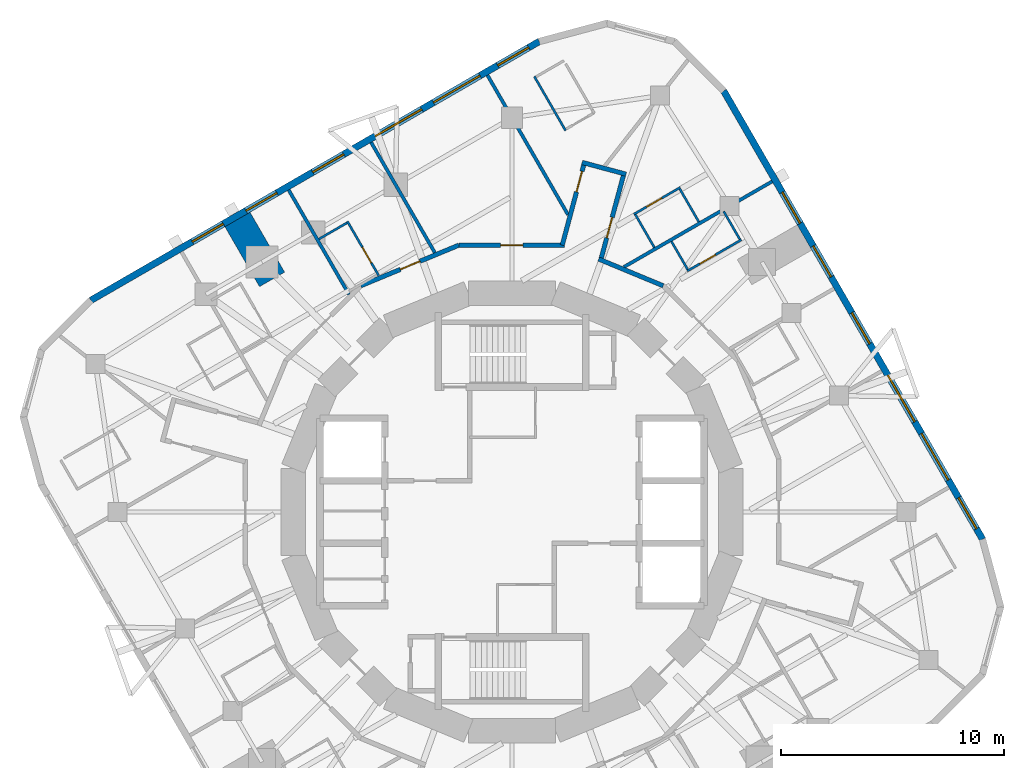
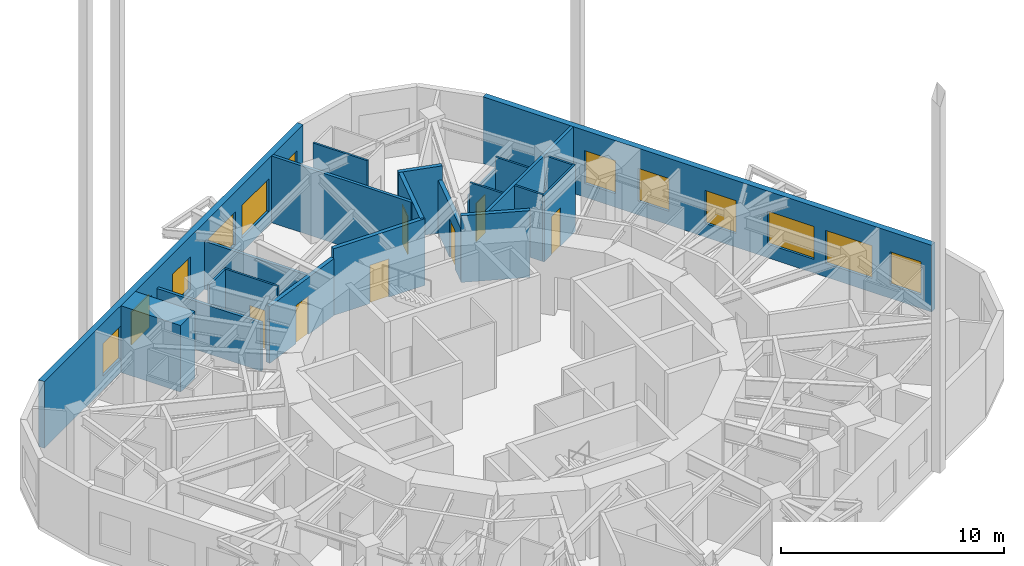
# One storey, part 8 of 10: 22 walls, 12 windows, 7 doors, 19 openings.
"""IFC4 building model written with IfcOpenShell, lengths in metres."""

import ifcopenshell
import ifcopenshell.guid

model = None  # the IFC model being written
_history = None  # IfcOwnerHistory: only IFC2X3 demands one
_inside = {}  # id of a spatial element -> (the spatial element, [elements in it])
_under = {}  # id of a project, library or spatial element -> (it, [spatial elements below it])
_declared = {}  # id of a project -> (the project, [libraries it declares])
_typed = {}  # id of a type object -> (the type object, [elements of that type])
_made_of = {}  # id of a material, layer set ... -> (it, [elements and type objects made of it])


def new_model(schema):
    """Start an empty IFC model of exactly this schema.

    Asked for "IFC4X3", IfcOpenShell would pick the latest addendum, in which some entities
    have other attributes; the version numbers below select the first issue.
    IFC2X3 requires an IfcOwnerHistory on every rooted entity: one is made here for all.
    """
    global model, _history
    if schema == "IFC4X3":
        model = ifcopenshell.file(schema_version=(4, 3, 0, 0))
    else:
        model = ifcopenshell.file(schema=schema)
    _inside.clear()
    _under.clear()
    _declared.clear()
    _typed.clear()
    _made_of.clear()
    _history = None
    if model.schema == "IFC2X3":
        org = make("IfcOrganization", Name="unknown")
        user = make(
            "IfcPersonAndOrganization",
            ThePerson=make("IfcPerson", FamilyName="unknown"),
            TheOrganization=org,
        )
        app = make(
            "IfcApplication",
            ApplicationDeveloper=org,
            Version="unknown",
            ApplicationFullName="unknown",
            ApplicationIdentifier="unknown",
        )
        _history = make(
            "IfcOwnerHistory",
            OwningUser=user,
            OwningApplication=app,
            ChangeAction="ADDED",
            CreationDate=0,
        )
    return model


def make(cls, **values):
    """One entity of the class cls with the attributes given. An attribute that is None is left unset."""
    return model.create_entity(
        cls, **{name: value for name, value in values.items() if value is not None}
    )


def rooted(cls, **values):
    """An entity with a GlobalId (a new one), such as an element, a storey or a relation."""
    return make(cls, GlobalId=ifcopenshell.guid.new(), OwnerHistory=_history, **values)


def si_unit(unit_type, name, prefix=None):
    """IfcSIUnit, for example si_unit("LENGTHUNIT", "METRE", prefix="MILLI")."""
    return make("IfcSIUnit", UnitType=unit_type, Prefix=prefix, Name=name)


def assignment(units):
    """IfcUnitAssignment: the units of a project."""
    return None if units is None else make("IfcUnitAssignment", Units=units)


def point(xyz):
    """IfcCartesianPoint."""
    return None if xyz is None else make("IfcCartesianPoint", Coordinates=xyz)


def direction(xyz):
    """IfcDirection."""
    return None if xyz is None else make("IfcDirection", DirectionRatios=xyz)


def frame(location, z_axis=None, x_axis=None):
    """IfcAxis2Placement3D, a coordinate frame: its origin and axes. An axis left out is left unset."""
    return make(
        "IfcAxis2Placement3D",
        Location=point(location),
        Axis=direction(z_axis),
        RefDirection=direction(x_axis),
    )


def frame_2d(location, x_axis=None):
    """IfcAxis2Placement2D, a coordinate frame in the plane: its origin and x axis."""
    return make(
        "IfcAxis2Placement2D", Location=point(location), RefDirection=direction(x_axis)
    )


def origin():
    """The frame at (0, 0, 0) with its axes left unset."""
    return frame((0.0, 0.0, 0.0))


def place(relative_to, where):
    """IfcLocalPlacement: puts the frame where relative to a parent placement (None: the world)."""
    return make(
        "IfcLocalPlacement", PlacementRelTo=relative_to, RelativePlacement=where
    )


def context(
    kind, dimensions, precision=None, world=None, true_north=None, identifier=None
):
    """IfcGeometricRepresentationContext, for example the 3D "Model" context."""
    return make(
        "IfcGeometricRepresentationContext",
        ContextIdentifier=identifier,
        ContextType=kind,
        CoordinateSpaceDimension=dimensions,
        Precision=precision,
        WorldCoordinateSystem=world,
        TrueNorth=true_north,
    )


def subcontext(parent, identifier, kind, view, scale=None):
    """IfcGeometricRepresentationSubContext, for example "Body" below "Model"."""
    return make(
        "IfcGeometricRepresentationSubContext",
        ContextIdentifier=identifier,
        ContextType=kind,
        ParentContext=parent,
        TargetScale=scale,
        TargetView=view,
    )


def project(units=None, contexts=None):
    """IfcProject with its units and contexts."""
    return rooted(
        "IfcProject",
        Name="project",
        RepresentationContexts=contexts,
        UnitsInContext=assignment(units),
    )


def spatial(cls, under=None, at=None, **own):
    """A site, building, storey or space (cls), placed at a placement, below another one or the project."""
    s = rooted(cls, ObjectPlacement=at, **own)
    if under is not None:
        _under.setdefault(under.id(), (under, []))[1].append(s)
    return s


def profile(cls, at=None, kind="AREA", **sizes):
    """A parametric profile (cls). Its sizes go by their IFC names, for example OverallWidth=200.0."""
    return make(cls, ProfileType=kind, Position=at, **sizes)


def rectangle(**sizes):
    """IfcRectangleProfileDef."""
    return profile("IfcRectangleProfileDef", **sizes)


def extrude(swept, where, along, depth):
    """IfcExtrudedAreaSolid: the profile swept, set in the frame where, extruded along a direction by depth."""
    return make(
        "IfcExtrudedAreaSolid",
        SweptArea=swept,
        Position=where,
        ExtrudedDirection=direction(along),
        Depth=depth,
    )


def shape(context_of_items, identifier, shape_type, items):
    """IfcShapeRepresentation: the items that make up one representation, for example the "Body"."""
    return make(
        "IfcShapeRepresentation",
        ContextOfItems=context_of_items,
        RepresentationIdentifier=identifier,
        RepresentationType=shape_type,
        Items=items,
    )


def material(Name=None, Category=None):
    """IfcMaterial."""
    return make("IfcMaterial", Name=Name, Category=Category)


def layer(
    of_material, thickness, ventilated=None, Name=None, Category=None, Priority=None
):
    """IfcMaterialLayer: one layer of a wall or slab, of a material (None: an air gap)."""
    return make(
        "IfcMaterialLayer",
        Material=of_material,
        LayerThickness=thickness,
        IsVentilated=ventilated,
        Name=Name,
        Category=Category,
        Priority=Priority,
    )


def layer_set(layers, Name=None):
    """IfcMaterialLayerSet."""
    return make("IfcMaterialLayerSet", MaterialLayers=layers, LayerSetName=Name)


def made_of(thing, what):
    """Note that an element or type object is made of a material, layer set ...; save() writes the relation."""
    if what is not None:
        _made_of.setdefault(what.id(), (what, []))[1].append(thing)
    return thing


def type_object(cls, material=None, **own):
    """A type object (cls), such as IfcWallType, which elements share."""
    return made_of(rooted(cls, **own), material)


def element(
    cls,
    number,
    at=None,
    inside=None,
    cuts=None,
    type_object=None,
    material=None,
    context=None,
    identifier="Body",
    shape_type=None,
    held_by="IfcProductDefinitionShape",
    body=None,
    shapes=None,
    **own,
):
    """One element of the class cls, such as IfcWall. Its Tag is "e" and its number.

    at: its placement. inside: the storey or other place that contains it. cuts: it is an
    opening in that element (IfcRelVoidsElement). A single representation is given by context,
    identifier, shape_type and body (its items); several are given by shapes. held_by: the class
    of the entity that holds the representations. save() writes the other relations.
    """
    e = rooted(cls, Tag="e%d" % number, ObjectPlacement=at, **own)
    if body is not None:
        shapes = [shape(context, identifier, shape_type, body)]
    if shapes is not None:
        e.Representation = make(held_by, Representations=shapes)
    if inside is not None:
        _inside.setdefault(inside.id(), (inside, []))[1].append(e)
    if cuts is not None:
        rooted(
            "IfcRelVoidsElement", RelatingBuildingElement=cuts, RelatedOpeningElement=e
        )
    if type_object is not None:
        _typed.setdefault(type_object.id(), (type_object, []))[1].append(e)
    return made_of(e, material)


def fill(opening, filler):
    """IfcRelFillsElement: the door or window that sits in an opening."""
    return rooted(
        "IfcRelFillsElement",
        RelatingOpeningElement=opening,
        RelatedBuildingElement=filler,
    )


def aggregate(whole, parts):
    """IfcRelAggregates: a whole, such as a stair, and the parts it consists of."""
    return rooted("IfcRelAggregates", RelatingObject=whole, RelatedObjects=parts)


def save(model, path):
    """Write the relations noted so far, then the file.

    IfcRelAggregates (storeys below a building ...), IfcRelContainedInSpatialStructure (elements
    in a storey), IfcRelDefinesByType, IfcRelAssociatesMaterial and IfcRelDeclares: one each for
    every whole, place, type object, material and project.
    """
    for whole, parts in _under.values():
        aggregate(whole, parts)
    for where, things in _inside.values():
        rooted(
            "IfcRelContainedInSpatialStructure",
            RelatedElements=things,
            RelatingStructure=where,
        )
    for kind, things in _typed.values():
        rooted("IfcRelDefinesByType", RelatedObjects=things, RelatingType=kind)
    for what, things in _made_of.values():
        rooted("IfcRelAssociatesMaterial", RelatedObjects=things, RelatingMaterial=what)
    for by, libraries in _declared.values():
        rooted("IfcRelDeclares", RelatingContext=by, RelatedDefinitions=libraries)
    model.write(path)


model = new_model("IFC4")

# Units and contexts
model_context = context("Model", 3, precision=1e-05, world=origin(), true_north=direction((0.0, 1.0)))
body_context = subcontext(model_context, "Body", "Model", "MODEL_VIEW")
ifc_project = project(units=[si_unit("LENGTHUNIT", "METRE"), si_unit("AREAUNIT", "SQUARE_METRE"), si_unit("VOLUMEUNIT", "CUBIC_METRE"), si_unit("PLANEANGLEUNIT", "RADIAN"), si_unit("MASSUNIT", "GRAM", prefix="KILO")], contexts=[model_context])

# Site, building, storey
site_placement = place(None, origin())
site = spatial("IfcSite", under=ifc_project, at=site_placement, CompositionType="ELEMENT")
building_placement = place(site_placement, origin())
building = spatial("IfcBuilding", under=site, at=building_placement, Name="Nakasero Lantern House", CompositionType="ELEMENT")
storey_placement = place(building_placement, frame((0.0, 0.0, 223.10009765625)))
storey = spatial("IfcBuildingStorey", under=building, at=storey_placement, Name="L54", CompositionType="ELEMENT", Elevation=223.10009765625)

# Wall
ifc_material_1 = material(Name="Blockwork", Category="masonry")
ifc_layer_1 = layer(ifc_material_1, 1.300048828125)
ifc_layer_set_1 = layer_set([ifc_layer_1], Name="Column pier 1300")
wall_type_1 = type_object("IfcWallType", Name="Column pier 1300", PredefinedType="PARTITIONING", material=ifc_layer_set_1)
wall_1_placement = place(storey_placement, frame((-10.75048828125, 10.4208984375, 0.0), z_axis=(0.0, 0.0, 1.0), x_axis=(-0.499933790963, 0.866063626216, 0.0)))
element("IfcWall", 1, at=wall_1_placement, inside=storey, type_object=wall_type_1, Name="Column pier L54 PN1-05", PredefinedType="PARTITIONING", context=body_context, shape_type="SweptSolid", body=[
    extrude(rectangle(XDim=3.10009765625, YDim=1.300048828125, at=frame_2d((1.550048828125, 0.0))), origin(), (0.0, 0.0, 1.0), 3.64990234375),
])

# Wall, opening, door
ifc_material_2 = material(Name="Blockwork", Category="masonry")
ifc_layer_2 = layer(ifc_material_2, 0.199951171875)
ifc_layer_set_2 = layer_set([ifc_layer_2], Name="Corridor wall 200")
wall_type_2 = type_object("IfcWallType", Name="Corridor wall 200", PredefinedType="PARTITIONING", material=ifc_layer_set_2)
wall_2_placement = place(storey_placement, frame((-6.773681640625, 10.137451171875, 0.0), z_axis=(0.0, 0.0, 1.0), x_axis=(0.923891735412, 0.382653970627, 0.0)))
wall_2 = element("IfcWall", 2, at=wall_2_placement, inside=storey, type_object=wall_type_2, Name="Corridor wall L54 RC11a", PredefinedType="PARTITIONING", context=body_context, shape_type="SweptSolid", body=[
    extrude(rectangle(XDim=4.757080078125, YDim=0.199951171875, at=frame_2d((2.37841796875, 0.0))), origin(), (0.0, 0.0, 1.0), 3.11328125),
])
opening_1_placement = place(wall_2_placement, frame((1.919921875, 0.0, 0.0)))
opening_1 = element("IfcOpeningElement", 3, at=opening_1_placement, cuts=wall_2, Name="Opening D01", PredefinedType="OPENING", context=body_context, shape_type="SweptSolid", body=[
    extrude(rectangle(XDim=0.949951171875, YDim=2.10009765625, at=frame_2d((0.47509765625, 1.050048828125))), frame((0.0, 0.119873046875, 0.0), z_axis=(0.0, -1.0, 0.0), x_axis=(1.0, 0.0, 0.0)), (0.0, 0.0, 1.0), 0.239990234375),
])
ifc_material_3 = material(Name="Timber C24", Category="wood")
door_type_1 = type_object("IfcDoorType", Name="Bedroom door FD30S 950", OperationType="SINGLE_SWING_LEFT", PredefinedType="DOOR", material=ifc_material_3)
door_1_placement = place(opening_1_placement, origin())
door_1 = element("IfcDoor", 4, at=door_1_placement, inside=storey, type_object=door_type_1, Name="Door L54 D1-03", OperationType="SINGLE_SWING_RIGHT", OverallHeight=2.10009765625, OverallWidth=0.949951171875, PredefinedType="DOOR", context=body_context, shape_type="SweptSolid", body=[
    extrude(rectangle(XDim=0.949951171875, YDim=2.10009765625, at=frame_2d((0.47509765625, 1.050048828125))), frame((0.0, 0.02490234375, 0.0), z_axis=(0.0, -1.0, 0.0), x_axis=(1.0, 0.0, 0.0)), (0.0, 0.0, 1.0), 0.050048828125),
])
fill(opening_1, door_1)

wall_3_placement = place(storey_placement, frame((-2.378662109375, 11.957763671875, 0.0), z_axis=(0.0, 0.0, 1.0), x_axis=(1.0, 0.0, 0.0)))
wall_3 = element("IfcWall", 5, at=wall_3_placement, inside=storey, type_object=wall_type_2, Name="Corridor wall L54 RC12a", PredefinedType="PARTITIONING", context=body_context, shape_type="SweptSolid", body=[
    extrude(rectangle(XDim=4.73388671875, YDim=0.199951171875, at=frame_2d((2.366943359375, 0.0))), origin(), (0.0, 0.0, 1.0), 3.64990234375),
])
opening_2_placement = place(wall_3_placement, frame((1.8701171875, 0.0, 0.0)))
opening_2 = element("IfcOpeningElement", 6, at=opening_2_placement, cuts=wall_3, Name="Opening D03", PredefinedType="OPENING", context=body_context, shape_type="SweptSolid", body=[
    extrude(rectangle(XDim=1.0, YDim=2.10009765625, at=frame_2d((0.5, 1.050048828125))), frame((0.0, 0.119873046875, 0.0), z_axis=(0.0, -1.0, 0.0), x_axis=(1.0, 0.0, 0.0)), (0.0, 0.0, 1.0), 0.239990234375),
])
ifc_material_4 = material(Name="Timber C24", Category="wood")
door_type_2 = type_object("IfcDoorType", Name="Lounge door FD30S 1000", OperationType="SINGLE_SWING_LEFT", PredefinedType="DOOR", material=ifc_material_4)
door_2_placement = place(opening_2_placement, origin())
door_2 = element("IfcDoor", 7, at=door_2_placement, inside=storey, type_object=door_type_2, Name="Door L54 DK1", OperationType="SINGLE_SWING_RIGHT", OverallHeight=2.10009765625, OverallWidth=1.0, PredefinedType="DOOR", context=body_context, shape_type="SweptSolid", body=[
    extrude(rectangle(XDim=1.0, YDim=2.10009765625, at=frame_2d((0.5, 1.050048828125))), frame((0.0, 0.02490234375, 0.0), z_axis=(0.0, -1.0, 0.0), x_axis=(1.0, 0.0, 0.0)), (0.0, 0.0, 1.0), 0.050048828125),
])
fill(opening_2, door_2)

# Wall
wall_4_placement = place(storey_placement, frame((3.8857421875, 11.33349609375, 0.0), z_axis=(0.0, 0.0, 1.0), x_axis=(0.923899751118, -0.382634616682, 0.0)))
element("IfcWall", 8, at=wall_4_placement, inside=storey, type_object=wall_type_2, Name="Corridor wall L54 RC13a", PredefinedType="PARTITIONING", context=body_context, shape_type="SweptSolid", body=[
    extrude(rectangle(XDim=3.125732421875, YDim=0.199951171875, at=frame_2d((1.56298828125, 0.0))), origin(), (0.0, 0.0, 1.0), 3.64990234375),
])

# Wall, opening, door
wall_5_placement = place(storey_placement, frame((3.97900390625, 11.294921875, 0.0), z_axis=(0.0, 0.0, 1.0), x_axis=(0.258780689033, 0.965936102951, 0.0)))
wall_5 = element("IfcWall", 9, at=wall_5_placement, inside=storey, type_object=wall_type_2, Name="Corridor wall L54 SP0a", PredefinedType="PARTITIONING", context=body_context, shape_type="SweptSolid", body=[
    extrude(rectangle(XDim=4.10400390625, YDim=0.199951171875, at=frame_2d((2.052001953125, 0.0))), origin(), (0.0, 0.0, 1.0), 2.8876953125),
])
opening_3_placement = place(wall_5_placement, frame((1.02001953125, 0.0, 0.0)))
opening_3 = element("IfcOpeningElement", 10, at=opening_3_placement, cuts=wall_5, Name="Opening D01", PredefinedType="OPENING", context=body_context, shape_type="SweptSolid", body=[
    extrude(rectangle(XDim=0.949951171875, YDim=2.10009765625, at=frame_2d((0.47509765625, 1.050048828125))), frame((0.0, 0.119873046875, 0.0), z_axis=(0.0, -1.0, 0.0), x_axis=(1.0, 0.0, 0.0)), (0.0, 0.0, 1.0), 0.239990234375),
])
door_3_placement = place(opening_3_placement, origin())
door_3 = element("IfcDoor", 11, at=door_3_placement, inside=storey, type_object=door_type_1, Name="Door L54 D0-06", OperationType="SINGLE_SWING_LEFT", OverallHeight=2.10009765625, OverallWidth=0.949951171875, PredefinedType="DOOR", context=body_context, shape_type="SweptSolid", body=[
    extrude(rectangle(XDim=0.949951171875, YDim=2.10009765625, at=frame_2d((0.47509765625, 1.050048828125))), frame((0.0, 0.02490234375, 0.0), z_axis=(0.0, -1.0, 0.0), x_axis=(1.0, 0.0, 0.0)), (0.0, 0.0, 1.0), 0.050048828125),
])
fill(opening_3, door_3)

wall_6_placement = place(storey_placement, frame((2.251708984375, 11.957763671875, 0.0), z_axis=(0.0, 0.0, 1.0), x_axis=(0.258820334962, 0.965925480671, 0.0)))
wall_6 = element("IfcWall", 12, at=wall_6_placement, inside=storey, type_object=wall_type_2, Name="Corridor wall L54 SP0b", PredefinedType="PARTITIONING", context=body_context, shape_type="SweptSolid", body=[
    extrude(rectangle(XDim=3.910888671875, YDim=0.199951171875, at=frame_2d((1.95556640625, 0.0))), origin(), (0.0, 0.0, 1.0), 3.64990234375),
])
opening_4_placement = place(wall_6_placement, frame((2.469970703125, 0.0, 0.0)))
opening_4 = element("IfcOpeningElement", 13, at=opening_4_placement, cuts=wall_6, Name="Opening D01", PredefinedType="OPENING", context=body_context, shape_type="SweptSolid", body=[
    extrude(rectangle(XDim=0.949951171875, YDim=2.10009765625, at=frame_2d((0.47509765625, 1.050048828125))), frame((0.0, 0.119873046875, 0.0), z_axis=(0.0, -1.0, 0.0), x_axis=(1.0, 0.0, 0.0)), (0.0, 0.0, 1.0), 0.239990234375),
])
door_4_placement = place(opening_4_placement, origin())
door_4 = element("IfcDoor", 14, at=door_4_placement, inside=storey, type_object=door_type_1, Name="Door L54 D1-00", OperationType="SINGLE_SWING_RIGHT", OverallHeight=2.10009765625, OverallWidth=0.949951171875, PredefinedType="DOOR", context=body_context, shape_type="SweptSolid", body=[
    extrude(rectangle(XDim=0.949951171875, YDim=2.10009765625, at=frame_2d((0.47509765625, 1.050048828125))), frame((0.0, 0.02490234375, 0.0), z_axis=(0.0, -1.0, 0.0), x_axis=(1.0, 0.0, 0.0)), (0.0, 0.0, 1.0), 0.050048828125),
])
fill(opening_4, door_4)

# Wall
wall_7_placement = place(storey_placement, frame((5.11181640625, 15.136474609375, 0.0), z_axis=(0.0, 0.0, 1.0), x_axis=(-0.965914394147, 0.258861706671, 0.0)))
element("IfcWall", 15, at=wall_7_placement, inside=storey, type_object=wall_type_2, Name="Corridor wall L54 SP0e", PredefinedType="PARTITIONING", context=body_context, shape_type="SweptSolid", body=[
    extrude(rectangle(XDim=2.0400390625, YDim=0.199951171875, at=frame_2d((1.02001953125, 0.0))), origin(), (0.0, 0.0, 1.0), 3.64990234375),
])

# Wall, opening, door
ifc_material_5 = material(Name="Blockwork", Category="masonry")
ifc_layer_3 = layer(ifc_material_5, 0.10009765625)
ifc_layer_set_3 = layer_set([ifc_layer_3], Name="En-suite wall 100")
wall_type_3 = type_object("IfcWallType", Name="En-suite wall 100", PredefinedType="PARTITIONING", material=ifc_layer_set_3)
wall_8_placement = place(storey_placement, frame((7.853271484375, 10.797607421875, 0.0), z_axis=(0.0, 0.0, 1.0), x_axis=(0.865996816683, 0.500049511043, 0.0)))
wall_8 = element("IfcWall", 16, at=wall_8_placement, inside=storey, type_object=wall_type_3, Name="En-suite wall L54 ES0-04", PredefinedType="PARTITIONING", context=body_context, shape_type="SweptSolid", body=[
    extrude(rectangle(XDim=2.800048828125, YDim=0.10009765625, at=frame_2d((1.39990234375, 0.0))), origin(), (0.0, 0.0, 1.0), 3.64990234375),
])
opening_5_placement = place(wall_8_placement, frame((0.64990234375, 0.0, 0.0)))
opening_5 = element("IfcOpeningElement", 17, at=opening_5_placement, cuts=wall_8, Name="Opening D02", PredefinedType="OPENING", context=body_context, shape_type="SweptSolid", body=[
    extrude(rectangle(XDim=0.800048828125, YDim=2.10009765625, at=frame_2d((0.39990234375, 1.050048828125))), frame((0.0, 0.070068359375, 0.0), z_axis=(0.0, -1.0, 0.0), x_axis=(1.0, 0.0, 0.0)), (0.0, 0.0, 1.0), 0.14013671875),
])
ifc_material_6 = material(Name="Timber C24", Category="wood")
door_type_3 = type_object("IfcDoorType", Name="En-suite door 800", OperationType="SINGLE_SWING_RIGHT", PredefinedType="DOOR", material=ifc_material_6)
door_5_placement = place(opening_5_placement, origin())
door_5 = element("IfcDoor", 18, at=door_5_placement, inside=storey, type_object=door_type_3, Name="Door L54 DE0-04", OperationType="SINGLE_SWING_LEFT", OverallHeight=2.10009765625, OverallWidth=0.800048828125, PredefinedType="DOOR", context=body_context, shape_type="SweptSolid", body=[
    extrude(rectangle(XDim=0.800048828125, YDim=2.10009765625, at=frame_2d((0.39990234375, 1.050048828125))), frame((0.0, 0.02490234375, 0.0), z_axis=(0.0, -1.0, 0.0), x_axis=(1.0, 0.0, 0.0)), (0.0, 0.0, 1.0), 0.050048828125),
])
fill(opening_5, door_5)

# Walls
wall_9_placement = place(storey_placement, frame((10.2099609375, 12.216064453125, 0.0), z_axis=(0.0, 0.0, 1.0), x_axis=(-0.500086826395, 0.865975268738, 0.0)))
element("IfcWall", 19, at=wall_9_placement, inside=storey, type_object=wall_type_3, Name="En-suite wall L54 EE0-04", PredefinedType="PARTITIONING", context=body_context, shape_type="SweptSolid", body=[
    extrude(rectangle(XDim=1.449951171875, YDim=0.10009765625, at=frame_2d((0.72509765625, 0.0))), origin(), (0.0, 0.0, 1.0), 3.64990234375),
])
wall_10_placement = place(storey_placement, frame((7.87158203125, 10.865966796875, 0.0), z_axis=(0.0, 0.0, 1.0), x_axis=(-0.499960540515, 0.86604818453, 0.0)))
element("IfcWall", 20, at=wall_10_placement, inside=storey, type_object=wall_type_3, Name="En-suite wall L54 EI0-04", PredefinedType="PARTITIONING", context=body_context, shape_type="SweptSolid", body=[
    extrude(rectangle(XDim=1.44970703125, YDim=0.10009765625, at=frame_2d((0.724853515625, 0.0))), origin(), (0.0, 0.0, 1.0), 3.64990234375),
])

# Wall, opening, door
wall_11_placement = place(storey_placement, frame((5.46044921875, 13.342041015625, 0.0), z_axis=(0.0, 0.0, 1.0), x_axis=(0.866006032174, 0.500033551112, 0.0)))
wall_11 = element("IfcWall", 21, at=wall_11_placement, inside=storey, type_object=wall_type_3, Name="En-suite wall L54 ES0-06", PredefinedType="PARTITIONING", context=body_context, shape_type="SweptSolid", body=[
    extrude(rectangle(XDim=2.400146484375, YDim=0.10009765625, at=frame_2d((1.2001953125, 0.0))), origin(), (0.0, 0.0, 1.0), 2.96630859375),
])
opening_6_placement = place(wall_11_placement, frame((0.64990234375, 0.0, 0.0)))
opening_6 = element("IfcOpeningElement", 22, at=opening_6_placement, cuts=wall_11, Name="Opening D02", PredefinedType="OPENING", context=body_context, shape_type="SweptSolid", body=[
    extrude(rectangle(XDim=0.800048828125, YDim=2.10009765625, at=frame_2d((0.39990234375, 1.050048828125))), frame((0.0, 0.070068359375, 0.0), z_axis=(0.0, -1.0, 0.0), x_axis=(1.0, 0.0, 0.0)), (0.0, 0.0, 1.0), 0.14013671875),
])
door_6_placement = place(opening_6_placement, origin())
door_6 = element("IfcDoor", 23, at=door_6_placement, inside=storey, type_object=door_type_3, Name="Door L54 DE0-06", OperationType="SINGLE_SWING_LEFT", OverallHeight=2.10009765625, OverallWidth=0.800048828125, PredefinedType="DOOR", context=body_context, shape_type="SweptSolid", body=[
    extrude(rectangle(XDim=0.800048828125, YDim=2.10009765625, at=frame_2d((0.39990234375, 1.050048828125))), frame((0.0, 0.02490234375, 0.0), z_axis=(0.0, -1.0, 0.0), x_axis=(1.0, 0.0, 0.0)), (0.0, 0.0, 1.0), 0.050048828125),
])
fill(opening_6, door_6)

# Walls
for number, where, z_axis, x_axis, name in (
    (24, (8.37060546875, 13.001708984375, 0.0), (0.0, 0.0, 1.0), (-0.499954529098, 0.86605165483, 0.0), "En-suite wall L54 EE0-06"),
    (25, (6.37890625, 11.8515625, 0.0), (0.0, 0.0, 1.0), (-0.500062241894, 0.865989465428, 0.0), "En-suite wall L54 EI0-06"),
):
    element("IfcWall", number, at=place(storey_placement, frame(where, z_axis=z_axis, x_axis=x_axis)), inside=storey, type_object=wall_type_3, Name=name, PredefinedType="PARTITIONING", context=body_context, shape_type="SweptSolid", body=[
        extrude(rectangle(XDim=1.699951171875, YDim=0.10009765625, at=frame_2d((0.85009765625, 0.0))), origin(), (0.0, 0.0, 1.0), 3.64990234375),
    ])
wall_12_placement = place(storey_placement, frame((2.401611328125, 17.09033203125, 0.0), z_axis=(0.0, 0.0, 1.0), x_axis=(-0.500011755427, 0.866018616679, 0.0)))
element("IfcWall", 26, at=wall_12_placement, inside=storey, type_object=wall_type_3, Name="En-suite wall L54 ES1-00", PredefinedType="PARTITIONING", context=body_context, shape_type="SweptSolid", body=[
    extrude(rectangle(XDim=2.80029296875, YDim=0.10009765625, at=frame_2d((1.400146484375, 0.0))), origin(), (0.0, 0.0, 1.0), 3.64990234375),
])

# Wall, opening, door
wall_13_placement = place(storey_placement, frame((-5.976318359375, 10.599609375, 0.0), z_axis=(0.0, 0.0, 1.0), x_axis=(-0.500049511043, 0.865996816683, 0.0)))
wall_13 = element("IfcWall", 27, at=wall_13_placement, inside=storey, type_object=wall_type_3, Name="En-suite wall L54 ES1-03", PredefinedType="PARTITIONING", context=body_context, shape_type="SweptSolid", body=[
    extrude(rectangle(XDim=2.800048828125, YDim=0.10009765625, at=frame_2d((1.39990234375, 0.0))), origin(), (0.0, 0.0, 1.0), 3.64990234375),
])
opening_7_placement = place(wall_13_placement, frame((0.64990234375, 0.0, 0.0)))
opening_7 = element("IfcOpeningElement", 28, at=opening_7_placement, cuts=wall_13, Name="Opening D02", PredefinedType="OPENING", context=body_context, shape_type="SweptSolid", body=[
    extrude(rectangle(XDim=0.800048828125, YDim=2.10009765625, at=frame_2d((0.39990234375, 1.050048828125))), frame((0.0, 0.070068359375, 0.0), z_axis=(0.0, -1.0, 0.0), x_axis=(1.0, 0.0, 0.0)), (0.0, 0.0, 1.0), 0.14013671875),
])
door_7_placement = place(opening_7_placement, origin())
door_7 = element("IfcDoor", 29, at=door_7_placement, inside=storey, type_object=door_type_3, Name="Door L54 DE1-03", OperationType="SINGLE_SWING_LEFT", OverallHeight=2.10009765625, OverallWidth=0.800048828125, PredefinedType="DOOR", context=body_context, shape_type="SweptSolid", body=[
    extrude(rectangle(XDim=0.800048828125, YDim=2.10009765625, at=frame_2d((0.39990234375, 1.050048828125))), frame((0.0, 0.02490234375, 0.0), z_axis=(0.0, -1.0, 0.0), x_axis=(1.0, 0.0, 0.0)), (0.0, 0.0, 1.0), 0.050048828125),
])
fill(opening_7, door_7)

# Wall
wall_14_placement = place(storey_placement, frame((-7.394775390625, 12.956298828125, 0.0), z_axis=(0.0, 0.0, 1.0), x_axis=(-0.865975268738, -0.500086826395, 0.0)))
element("IfcWall", 30, at=wall_14_placement, inside=storey, type_object=wall_type_3, Name="En-suite wall L54 EE1-03", PredefinedType="PARTITIONING", context=body_context, shape_type="SweptSolid", body=[
    extrude(rectangle(XDim=1.449951171875, YDim=0.10009765625, at=frame_2d((0.72509765625, 0.0))), origin(), (0.0, 0.0, 1.0), 3.64990234375),
])

# Wall, openings, windows
ifc_material_7 = material(Name="Aluminium rainscreen on blockwork", Category="masonry")
ifc_layer_4 = layer(ifc_material_7, 0.300048828125)
ifc_layer_set_4 = layer_set([ifc_layer_4], Name="Facade wall 300")
wall_type_4 = type_object("IfcWallType", Name="Facade wall 300", PredefinedType="SOLIDWALL", material=ifc_layer_set_4)
wall_15_placement = place(storey_placement, frame((21.08544921875, -1.220947265625, 0.0), z_axis=(0.0, 0.0, 1.0), x_axis=(-0.500003016864, 0.86602366199, 0.0)))
wall_15 = element("IfcWall", 31, at=wall_15_placement, inside=storey, type_object=wall_type_4, Name="Facade wall L54 FW0S", PredefinedType="SOLIDWALL", context=body_context, shape_type="SweptSolid", body=[
    extrude(rectangle(XDim=23.199951171875, YDim=0.300048828125, at=frame_2d((11.60009765625, 0.0))), origin(), (0.0, 0.0, 1.0), 3.64990234375),
])
opening_8_placement = place(wall_15_placement, frame((0.5458984375, 0.0, 0.75)))
opening_8 = element("IfcOpeningElement", 32, at=opening_8_placement, cuts=wall_15, Name="Opening W01", PredefinedType="OPENING", context=body_context, shape_type="SweptSolid", body=[
    extrude(rectangle(XDim=1.60009765625, YDim=1.800048828125, at=frame_2d((0.800048828125, 0.89990234375))), frame((0.0, 0.169921875, 0.0), z_axis=(0.0, -1.0, 0.0), x_axis=(1.0, 0.0, 0.0)), (0.0, 0.0, 1.0), 0.340087890625),
])
opening_9_placement = place(wall_15_placement, frame((10.11767578125, 0.0, 0.75)))
opening_9 = element("IfcOpeningElement", 33, at=opening_9_placement, cuts=wall_15, Name="Opening W01", PredefinedType="OPENING", context=body_context, shape_type="SweptSolid", body=[
    extrude(rectangle(XDim=1.60009765625, YDim=1.800048828125, at=frame_2d((0.800048828125, 0.89990234375))), frame((0.0, 0.169921875, 0.0), z_axis=(0.0, -1.0, 0.0), x_axis=(1.0, 0.0, 0.0)), (0.0, 0.0, 1.0), 0.340087890625),
])
opening_10_placement = place(wall_15_placement, frame((13.5751953125, 0.0, 0.75)))
opening_10 = element("IfcOpeningElement", 34, at=opening_10_placement, cuts=wall_15, Name="Opening W01", PredefinedType="OPENING", context=body_context, shape_type="SweptSolid", body=[
    extrude(rectangle(XDim=1.60009765625, YDim=1.800048828125, at=frame_2d((0.800048828125, 0.89990234375))), frame((0.0, 0.169921875, 0.0), z_axis=(0.0, -1.0, 0.0), x_axis=(1.0, 0.0, 0.0)), (0.0, 0.0, 1.0), 0.340087890625),
])
opening_11_placement = place(wall_15_placement, frame((16.349609375, 0.0, 0.75)))
opening_11 = element("IfcOpeningElement", 35, at=opening_11_placement, cuts=wall_15, Name="Opening W01", PredefinedType="OPENING", context=body_context, shape_type="SweptSolid", body=[
    extrude(rectangle(XDim=1.60009765625, YDim=1.800048828125, at=frame_2d((0.800048828125, 0.89990234375))), frame((0.0, 0.169921875, 0.0), z_axis=(0.0, -1.0, 0.0), x_axis=(1.0, 0.0, 0.0)), (0.0, 0.0, 1.0), 0.340087890625),
])
opening_12_placement = place(wall_15_placement, frame((3.071044921875, 0.0, 0.75)))
opening_12 = element("IfcOpeningElement", 36, at=opening_12_placement, cuts=wall_15, Name="Opening W03", PredefinedType="OPENING", context=body_context, shape_type="SweptSolid", body=[
    extrude(rectangle(XDim=2.39990234375, YDim=1.800048828125, at=frame_2d((1.199951171875, 0.89990234375))), frame((0.0, 0.169921875, 0.0), z_axis=(0.0, -1.0, 0.0), x_axis=(1.0, 0.0, 0.0)), (0.0, 0.0, 1.0), 0.340087890625),
])
opening_13_placement = place(wall_15_placement, frame((6.080078125, 0.0, 0.75)))
opening_13 = element("IfcOpeningElement", 37, at=opening_13_placement, cuts=wall_15, Name="Opening W03", PredefinedType="OPENING", context=body_context, shape_type="SweptSolid", body=[
    extrude(rectangle(XDim=2.39990234375, YDim=1.800048828125, at=frame_2d((1.199951171875, 0.89990234375))), frame((0.0, 0.169921875, 0.0), z_axis=(0.0, -1.0, 0.0), x_axis=(1.0, 0.0, 0.0)), (0.0, 0.0, 1.0), 0.340087890625),
])
ifc_material_8 = material(Name="Aluminium 6063-T6 and glass", Category="aluminium")
window_type_1 = type_object("IfcWindowType", Name="Bedroom window 1600x1800", PartitioningType="SINGLE_PANEL", PredefinedType="WINDOW", material=ifc_material_8)
window_1_placement = place(opening_8_placement, origin())
window_1 = element("IfcWindow", 38, at=window_1_placement, inside=storey, type_object=window_type_1, Name="Window L54 WN0-00", OverallHeight=1.800048828125, OverallWidth=1.60009765625, PartitioningType="SINGLE_PANEL", PredefinedType="WINDOW", context=body_context, shape_type="SweptSolid", body=[
    extrude(rectangle(XDim=1.60009765625, YDim=1.800048828125, at=frame_2d((0.800048828125, 0.89990234375))), frame((0.0, 0.030029296875, 0.0), z_axis=(0.0, -1.0, 0.0), x_axis=(1.0, 0.0, 0.0)), (0.0, 0.0, 1.0), 0.06005859375),
])
fill(opening_8, window_1)
window_2_placement = place(opening_9_placement, origin())
window_2 = element("IfcWindow", 39, at=window_2_placement, inside=storey, type_object=window_type_1, Name="Window L54 WN0-03", OverallHeight=1.800048828125, OverallWidth=1.60009765625, PartitioningType="SINGLE_PANEL", PredefinedType="WINDOW", context=body_context, shape_type="SweptSolid", body=[
    extrude(rectangle(XDim=1.60009765625, YDim=1.800048828125, at=frame_2d((0.800048828125, 0.89990234375))), frame((0.0, 0.030029296875, 0.0), z_axis=(0.0, -1.0, 0.0), x_axis=(1.0, 0.0, 0.0)), (0.0, 0.0, 1.0), 0.06005859375),
])
fill(opening_9, window_2)
window_3_placement = place(opening_10_placement, origin())
window_3 = element("IfcWindow", 40, at=window_3_placement, inside=storey, type_object=window_type_1, Name="Window L54 WN0-04", OverallHeight=1.800048828125, OverallWidth=1.60009765625, PartitioningType="SINGLE_PANEL", PredefinedType="WINDOW", context=body_context, shape_type="SweptSolid", body=[
    extrude(rectangle(XDim=1.60009765625, YDim=1.800048828125, at=frame_2d((0.800048828125, 0.89990234375))), frame((0.0, 0.030029296875, 0.0), z_axis=(0.0, -1.0, 0.0), x_axis=(1.0, 0.0, 0.0)), (0.0, 0.0, 1.0), 0.06005859375),
])
fill(opening_10, window_3)
window_4_placement = place(opening_11_placement, origin())
window_4 = element("IfcWindow", 41, at=window_4_placement, inside=storey, type_object=window_type_1, Name="Window L54 WN0-05", OverallHeight=1.800048828125, OverallWidth=1.60009765625, PartitioningType="SINGLE_PANEL", PredefinedType="WINDOW", context=body_context, shape_type="SweptSolid", body=[
    extrude(rectangle(XDim=1.60009765625, YDim=1.800048828125, at=frame_2d((0.800048828125, 0.89990234375))), frame((0.0, 0.030029296875, 0.0), z_axis=(0.0, -1.0, 0.0), x_axis=(1.0, 0.0, 0.0)), (0.0, 0.0, 1.0), 0.06005859375),
])
fill(opening_11, window_4)
ifc_material_9 = material(Name="Aluminium 6063-T6 and glass", Category="aluminium")
window_type_2 = type_object("IfcWindowType", Name="Lounge window 2400x1800", PartitioningType="SINGLE_PANEL", PredefinedType="WINDOW", material=ifc_material_9)
window_5_placement = place(opening_12_placement, origin())
window_5 = element("IfcWindow", 42, at=window_5_placement, inside=storey, type_object=window_type_2, Name="Window L54 WK0", OverallHeight=1.800048828125, OverallWidth=2.39990234375, PartitioningType="SINGLE_PANEL", PredefinedType="WINDOW", context=body_context, shape_type="SweptSolid", body=[
    extrude(rectangle(XDim=2.39990234375, YDim=1.800048828125, at=frame_2d((1.199951171875, 0.89990234375))), frame((0.0, 0.030029296875, 0.0), z_axis=(0.0, -1.0, 0.0), x_axis=(1.0, 0.0, 0.0)), (0.0, 0.0, 1.0), 0.06005859375),
])
fill(opening_12, window_5)
window_6_placement = place(opening_13_placement, origin())
window_6 = element("IfcWindow", 43, at=window_6_placement, inside=storey, type_object=window_type_2, Name="Window L54 WL0", OverallHeight=1.800048828125, OverallWidth=2.39990234375, PartitioningType="SINGLE_PANEL", PredefinedType="WINDOW", context=body_context, shape_type="SweptSolid", body=[
    extrude(rectangle(XDim=2.39990234375, YDim=1.800048828125, at=frame_2d((1.199951171875, 0.89990234375))), frame((0.0, 0.030029296875, 0.0), z_axis=(0.0, -1.0, 0.0), x_axis=(1.0, 0.0, 0.0)), (0.0, 0.0, 1.0), 0.06005859375),
])
fill(opening_13, window_6)

wall_16_placement = place(storey_placement, frame((1.220947265625, 21.08544921875, 0.0), z_axis=(0.0, 0.0, 1.0), x_axis=(-0.86602366199, -0.500003016864, 0.0)))
wall_16 = element("IfcWall", 44, at=wall_16_placement, inside=storey, type_object=wall_type_4, Name="Facade wall L54 FW1S", PredefinedType="SOLIDWALL", context=body_context, shape_type="SweptSolid", body=[
    extrude(rectangle(XDim=23.199951171875, YDim=0.300048828125, at=frame_2d((11.60009765625, 0.0))), origin(), (0.0, 0.0, 1.0), 3.64990234375),
])
opening_14_placement = place(wall_16_placement, frame((0.5458984375, 0.0, 0.75)))
opening_14 = element("IfcOpeningElement", 45, at=opening_14_placement, cuts=wall_16, Name="Opening W01", PredefinedType="OPENING", context=body_context, shape_type="SweptSolid", body=[
    extrude(rectangle(XDim=1.60009765625, YDim=1.800048828125, at=frame_2d((0.800048828125, 0.89990234375))), frame((0.0, 0.169921875, 0.0), z_axis=(0.0, -1.0, 0.0), x_axis=(1.0, 0.0, 0.0)), (0.0, 0.0, 1.0), 0.340087890625),
])
opening_15_placement = place(wall_16_placement, frame((10.11767578125, 0.0, 0.75)))
opening_15 = element("IfcOpeningElement", 46, at=opening_15_placement, cuts=wall_16, Name="Opening W01", PredefinedType="OPENING", context=body_context, shape_type="SweptSolid", body=[
    extrude(rectangle(XDim=1.60009765625, YDim=1.800048828125, at=frame_2d((0.800048828125, 0.89990234375))), frame((0.0, 0.169921875, 0.0), z_axis=(0.0, -1.0, 0.0), x_axis=(1.0, 0.0, 0.0)), (0.0, 0.0, 1.0), 0.340087890625),
])
opening_16_placement = place(wall_16_placement, frame((13.5751953125, 0.0, 0.75)))
opening_16 = element("IfcOpeningElement", 47, at=opening_16_placement, cuts=wall_16, Name="Opening W01", PredefinedType="OPENING", context=body_context, shape_type="SweptSolid", body=[
    extrude(rectangle(XDim=1.60009765625, YDim=1.800048828125, at=frame_2d((0.800048828125, 0.89990234375))), frame((0.0, 0.169921875, 0.0), z_axis=(0.0, -1.0, 0.0), x_axis=(1.0, 0.0, 0.0)), (0.0, 0.0, 1.0), 0.340087890625),
])
opening_17_placement = place(wall_16_placement, frame((16.349609375, 0.0, 0.75)))
opening_17 = element("IfcOpeningElement", 48, at=opening_17_placement, cuts=wall_16, Name="Opening W01", PredefinedType="OPENING", context=body_context, shape_type="SweptSolid", body=[
    extrude(rectangle(XDim=1.60009765625, YDim=1.800048828125, at=frame_2d((0.800048828125, 0.89990234375))), frame((0.0, 0.169921875, 0.0), z_axis=(0.0, -1.0, 0.0), x_axis=(1.0, 0.0, 0.0)), (0.0, 0.0, 1.0), 0.340087890625),
])
opening_18_placement = place(wall_16_placement, frame((3.071044921875, 0.0, 0.75)))
opening_18 = element("IfcOpeningElement", 49, at=opening_18_placement, cuts=wall_16, Name="Opening W03", PredefinedType="OPENING", context=body_context, shape_type="SweptSolid", body=[
    extrude(rectangle(XDim=2.39990234375, YDim=1.800048828125, at=frame_2d((1.199951171875, 0.89990234375))), frame((0.0, 0.169921875, 0.0), z_axis=(0.0, -1.0, 0.0), x_axis=(1.0, 0.0, 0.0)), (0.0, 0.0, 1.0), 0.340087890625),
])
opening_19_placement = place(wall_16_placement, frame((6.080078125, 0.0, 0.75)))
opening_19 = element("IfcOpeningElement", 50, at=opening_19_placement, cuts=wall_16, Name="Opening W03", PredefinedType="OPENING", context=body_context, shape_type="SweptSolid", body=[
    extrude(rectangle(XDim=2.39990234375, YDim=1.800048828125, at=frame_2d((1.199951171875, 0.89990234375))), frame((0.0, 0.169921875, 0.0), z_axis=(0.0, -1.0, 0.0), x_axis=(1.0, 0.0, 0.0)), (0.0, 0.0, 1.0), 0.340087890625),
])
window_7_placement = place(opening_14_placement, origin())
window_7 = element("IfcWindow", 51, at=window_7_placement, inside=storey, type_object=window_type_1, Name="Window L54 WN1-00", OverallHeight=1.800048828125, OverallWidth=1.60009765625, PartitioningType="SINGLE_PANEL", PredefinedType="WINDOW", context=body_context, shape_type="SweptSolid", body=[
    extrude(rectangle(XDim=1.60009765625, YDim=1.800048828125, at=frame_2d((0.800048828125, 0.89990234375))), frame((0.0, 0.030029296875, 0.0), z_axis=(0.0, -1.0, 0.0), x_axis=(1.0, 0.0, 0.0)), (0.0, 0.0, 1.0), 0.06005859375),
])
fill(opening_14, window_7)
window_8_placement = place(opening_15_placement, origin())
window_8 = element("IfcWindow", 52, at=window_8_placement, inside=storey, type_object=window_type_1, Name="Window L54 WN1-03", OverallHeight=1.800048828125, OverallWidth=1.60009765625, PartitioningType="SINGLE_PANEL", PredefinedType="WINDOW", context=body_context, shape_type="SweptSolid", body=[
    extrude(rectangle(XDim=1.60009765625, YDim=1.800048828125, at=frame_2d((0.800048828125, 0.89990234375))), frame((0.0, 0.030029296875, 0.0), z_axis=(0.0, -1.0, 0.0), x_axis=(1.0, 0.0, 0.0)), (0.0, 0.0, 1.0), 0.06005859375),
])
fill(opening_15, window_8)
window_9_placement = place(opening_16_placement, origin())
window_9 = element("IfcWindow", 53, at=window_9_placement, inside=storey, type_object=window_type_1, Name="Window L54 WN1-04", OverallHeight=1.800048828125, OverallWidth=1.60009765625, PartitioningType="SINGLE_PANEL", PredefinedType="WINDOW", context=body_context, shape_type="SweptSolid", body=[
    extrude(rectangle(XDim=1.60009765625, YDim=1.800048828125, at=frame_2d((0.800048828125, 0.89990234375))), frame((0.0, 0.030029296875, 0.0), z_axis=(0.0, -1.0, 0.0), x_axis=(1.0, 0.0, 0.0)), (0.0, 0.0, 1.0), 0.06005859375),
])
fill(opening_16, window_9)
window_10_placement = place(opening_17_placement, origin())
window_10 = element("IfcWindow", 54, at=window_10_placement, inside=storey, type_object=window_type_1, Name="Window L54 WN1-05", OverallHeight=1.800048828125, OverallWidth=1.60009765625, PartitioningType="SINGLE_PANEL", PredefinedType="WINDOW", context=body_context, shape_type="SweptSolid", body=[
    extrude(rectangle(XDim=1.60009765625, YDim=1.800048828125, at=frame_2d((0.800048828125, 0.89990234375))), frame((0.0, 0.030029296875, 0.0), z_axis=(0.0, -1.0, 0.0), x_axis=(1.0, 0.0, 0.0)), (0.0, 0.0, 1.0), 0.06005859375),
])
fill(opening_17, window_10)
window_11_placement = place(opening_18_placement, origin())
window_11 = element("IfcWindow", 55, at=window_11_placement, inside=storey, type_object=window_type_2, Name="Window L54 WK1", OverallHeight=1.800048828125, OverallWidth=2.39990234375, PartitioningType="SINGLE_PANEL", PredefinedType="WINDOW", context=body_context, shape_type="SweptSolid", body=[
    extrude(rectangle(XDim=2.39990234375, YDim=1.800048828125, at=frame_2d((1.199951171875, 0.89990234375))), frame((0.0, 0.030029296875, 0.0), z_axis=(0.0, -1.0, 0.0), x_axis=(1.0, 0.0, 0.0)), (0.0, 0.0, 1.0), 0.06005859375),
])
fill(opening_18, window_11)
window_12_placement = place(opening_19_placement, origin())
window_12 = element("IfcWindow", 56, at=window_12_placement, inside=storey, type_object=window_type_2, Name="Window L54 WL1", OverallHeight=1.800048828125, OverallWidth=2.39990234375, PartitioningType="SINGLE_PANEL", PredefinedType="WINDOW", context=body_context, shape_type="SweptSolid", body=[
    extrude(rectangle(XDim=2.39990234375, YDim=1.800048828125, at=frame_2d((1.199951171875, 0.89990234375))), frame((0.0, 0.030029296875, 0.0), z_axis=(0.0, -1.0, 0.0), x_axis=(1.0, 0.0, 0.0)), (0.0, 0.0, 1.0), 0.06005859375),
])
fill(opening_19, window_12)

# Walls
ifc_material_10 = material(Name="Blockwork", Category="masonry")
ifc_layer_5 = layer(ifc_material_10, 0.14990234375)
ifc_layer_set_5 = layer_set([ifc_layer_5], Name="Party wall 150")
wall_type_5 = type_object("IfcWallType", Name="Party wall 150", PredefinedType="PARTITIONING", material=ifc_layer_set_5)
wall_17_placement = place(storey_placement, frame((5.011474609375, 10.9755859375, 0.0), z_axis=(0.0, 0.0, 1.0), x_axis=(0.866033500054, 0.499985976588, 0.0)))
element("IfcWall", 57, at=wall_17_placement, inside=storey, type_object=wall_type_5, Name="Party wall L54 PW0-06", PredefinedType="PARTITIONING", context=body_context, shape_type="SweptSolid", body=[
    extrude(rectangle(XDim=7.672119140625, YDim=0.14990234375, at=frame_2d((3.8359375, 0.0))), origin(), (0.0, 0.0, 1.0), 3.64990234375),
])
wall_18_placement = place(storey_placement, frame((2.511962890625, 13.31591796875, 0.0), z_axis=(0.0, 0.0, 1.0), x_axis=(-0.499995488419, 0.866028008531, 0.0)))
element("IfcWall", 58, at=wall_18_placement, inside=storey, type_object=wall_type_5, Name="Party wall L54 PW1-01", PredefinedType="PARTITIONING", context=body_context, shape_type="SweptSolid", body=[
    extrude(rectangle(XDim=7.22412109375, YDim=0.14990234375, at=frame_2d((3.612060546875, 0.0))), origin(), (0.0, 0.0, 1.0), 3.64990234375),
])
wall_19_placement = place(storey_placement, frame((-3.457275390625, 11.619140625, 0.0), z_axis=(0.0, 0.0, 1.0), x_axis=(-0.500002556202, 0.866023927955, 0.0)))
element("IfcWall", 59, at=wall_19_placement, inside=storey, type_object=wall_type_5, Name="Party wall L54 PW1-03", PredefinedType="PARTITIONING", context=body_context, shape_type="SweptSolid", body=[
    extrude(rectangle(XDim=5.708984375, YDim=0.14990234375, at=frame_2d((2.8544921875, 0.0))), origin(), (0.0, 0.0, 1.0), 2.634033203125),
])
wall_20_placement = place(storey_placement, frame((-7.3037109375, 9.748779296875, 0.0), z_axis=(0.0, 0.0, 1.0), x_axis=(-0.500030010259, 0.86600807666, 0.0)))
element("IfcWall", 60, at=wall_20_placement, inside=storey, type_object=wall_type_5, Name="Party wall L54 PW1-04", PredefinedType="PARTITIONING", context=body_context, shape_type="SweptSolid", body=[
    extrude(rectangle(XDim=5.405517578125, YDim=0.14990234375, at=frame_2d((2.70263671875, 0.0))), origin(), (0.0, 0.0, 1.0), 2.641845703125),
])

save(model, "model.ifc")
